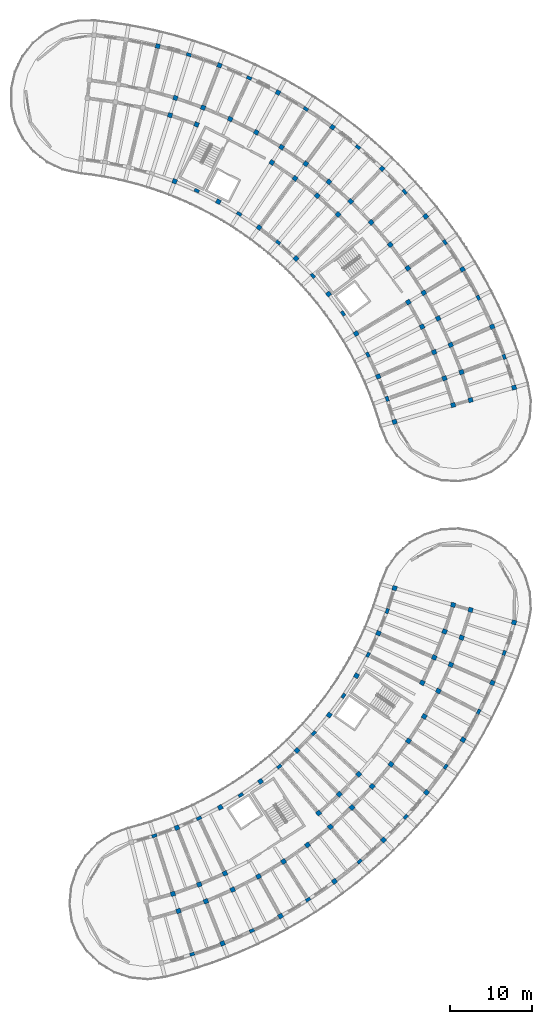
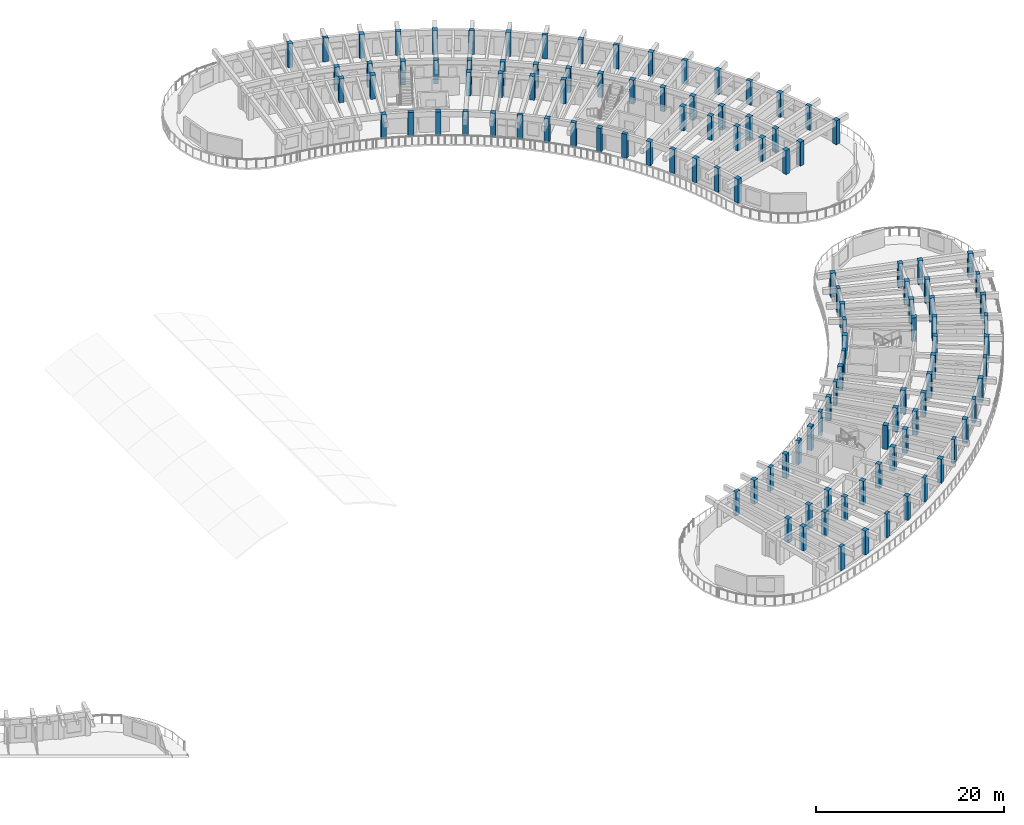
# One storey, part 2 of 96: 117 columns.
"""IFC4 building model written with IfcOpenShell, lengths in metres."""

import ifcopenshell
import ifcopenshell.guid

model = None  # the IFC model being written
_history = None  # IfcOwnerHistory: only IFC2X3 demands one
_inside = {}  # id of a spatial element -> (the spatial element, [elements in it])
_under = {}  # id of a project, library or spatial element -> (it, [spatial elements below it])
_declared = {}  # id of a project -> (the project, [libraries it declares])
_typed = {}  # id of a type object -> (the type object, [elements of that type])
_made_of = {}  # id of a material, layer set ... -> (it, [elements and type objects made of it])


def new_model(schema):
    """Start an empty IFC model of exactly this schema.

    Asked for "IFC4X3", IfcOpenShell would pick the latest addendum, in which some entities
    have other attributes; the version numbers below select the first issue.
    IFC2X3 requires an IfcOwnerHistory on every rooted entity: one is made here for all.
    """
    global model, _history
    if schema == "IFC4X3":
        model = ifcopenshell.file(schema_version=(4, 3, 0, 0))
    else:
        model = ifcopenshell.file(schema=schema)
    _inside.clear()
    _under.clear()
    _declared.clear()
    _typed.clear()
    _made_of.clear()
    _history = None
    if model.schema == "IFC2X3":
        org = make("IfcOrganization", Name="unknown")
        user = make(
            "IfcPersonAndOrganization",
            ThePerson=make("IfcPerson", FamilyName="unknown"),
            TheOrganization=org,
        )
        app = make(
            "IfcApplication",
            ApplicationDeveloper=org,
            Version="unknown",
            ApplicationFullName="unknown",
            ApplicationIdentifier="unknown",
        )
        _history = make(
            "IfcOwnerHistory",
            OwningUser=user,
            OwningApplication=app,
            ChangeAction="ADDED",
            CreationDate=0,
        )
    return model


def make(cls, **values):
    """One entity of the class cls with the attributes given. An attribute that is None is left unset."""
    return model.create_entity(
        cls, **{name: value for name, value in values.items() if value is not None}
    )


def rooted(cls, **values):
    """An entity with a GlobalId (a new one), such as an element, a storey or a relation."""
    return make(cls, GlobalId=ifcopenshell.guid.new(), OwnerHistory=_history, **values)


def si_unit(unit_type, name, prefix=None):
    """IfcSIUnit, for example si_unit("LENGTHUNIT", "METRE", prefix="MILLI")."""
    return make("IfcSIUnit", UnitType=unit_type, Prefix=prefix, Name=name)


def assignment(units):
    """IfcUnitAssignment: the units of a project."""
    return None if units is None else make("IfcUnitAssignment", Units=units)


def point(xyz):
    """IfcCartesianPoint."""
    return None if xyz is None else make("IfcCartesianPoint", Coordinates=xyz)


def direction(xyz):
    """IfcDirection."""
    return None if xyz is None else make("IfcDirection", DirectionRatios=xyz)


def frame(location, z_axis=None, x_axis=None):
    """IfcAxis2Placement3D, a coordinate frame: its origin and axes. An axis left out is left unset."""
    return make(
        "IfcAxis2Placement3D",
        Location=point(location),
        Axis=direction(z_axis),
        RefDirection=direction(x_axis),
    )


def frame_2d(location, x_axis=None):
    """IfcAxis2Placement2D, a coordinate frame in the plane: its origin and x axis."""
    return make(
        "IfcAxis2Placement2D", Location=point(location), RefDirection=direction(x_axis)
    )


def origin():
    """The frame at (0, 0, 0) with its axes left unset."""
    return frame((0.0, 0.0, 0.0))


def origin_2d():
    """The frame at (0, 0) in the plane with its x axis left unset."""
    return frame_2d((0.0, 0.0))


def place(relative_to, where):
    """IfcLocalPlacement: puts the frame where relative to a parent placement (None: the world)."""
    return make(
        "IfcLocalPlacement", PlacementRelTo=relative_to, RelativePlacement=where
    )


def context(
    kind, dimensions, precision=None, world=None, true_north=None, identifier=None
):
    """IfcGeometricRepresentationContext, for example the 3D "Model" context."""
    return make(
        "IfcGeometricRepresentationContext",
        ContextIdentifier=identifier,
        ContextType=kind,
        CoordinateSpaceDimension=dimensions,
        Precision=precision,
        WorldCoordinateSystem=world,
        TrueNorth=true_north,
    )


def subcontext(parent, identifier, kind, view, scale=None):
    """IfcGeometricRepresentationSubContext, for example "Body" below "Model"."""
    return make(
        "IfcGeometricRepresentationSubContext",
        ContextIdentifier=identifier,
        ContextType=kind,
        ParentContext=parent,
        TargetScale=scale,
        TargetView=view,
    )


def project(units=None, contexts=None):
    """IfcProject with its units and contexts."""
    return rooted(
        "IfcProject",
        Name="project",
        RepresentationContexts=contexts,
        UnitsInContext=assignment(units),
    )


def spatial(cls, under=None, at=None, **own):
    """A site, building, storey or space (cls), placed at a placement, below another one or the project."""
    s = rooted(cls, ObjectPlacement=at, **own)
    if under is not None:
        _under.setdefault(under.id(), (under, []))[1].append(s)
    return s


def profile(cls, at=None, kind="AREA", **sizes):
    """A parametric profile (cls). Its sizes go by their IFC names, for example OverallWidth=200.0."""
    return make(cls, ProfileType=kind, Position=at, **sizes)


def rectangle(**sizes):
    """IfcRectangleProfileDef."""
    return profile("IfcRectangleProfileDef", **sizes)


def extrude(swept, where, along, depth):
    """IfcExtrudedAreaSolid: the profile swept, set in the frame where, extruded along a direction by depth."""
    return make(
        "IfcExtrudedAreaSolid",
        SweptArea=swept,
        Position=where,
        ExtrudedDirection=direction(along),
        Depth=depth,
    )


def shape(context_of_items, identifier, shape_type, items):
    """IfcShapeRepresentation: the items that make up one representation, for example the "Body"."""
    return make(
        "IfcShapeRepresentation",
        ContextOfItems=context_of_items,
        RepresentationIdentifier=identifier,
        RepresentationType=shape_type,
        Items=items,
    )


def material(Name=None, Category=None):
    """IfcMaterial."""
    return make("IfcMaterial", Name=Name, Category=Category)


def material_profile(
    of_material, cross_section, Name=None, Category=None, Priority=None
):
    """IfcMaterialProfile: a cross section and its material."""
    return make(
        "IfcMaterialProfile",
        Name=Name,
        Material=of_material,
        Profile=cross_section,
        Priority=Priority,
        Category=Category,
    )


def profile_set(profiles, Name=None, composite=None):
    """IfcMaterialProfileSet."""
    return make(
        "IfcMaterialProfileSet",
        Name=Name,
        MaterialProfiles=profiles,
        CompositeProfile=composite,
    )


def made_of(thing, what):
    """Note that an element or type object is made of a material, layer set ...; save() writes the relation."""
    if what is not None:
        _made_of.setdefault(what.id(), (what, []))[1].append(thing)
    return thing


def type_object(cls, material=None, **own):
    """A type object (cls), such as IfcWallType, which elements share."""
    return made_of(rooted(cls, **own), material)


def element(
    cls,
    number,
    at=None,
    inside=None,
    cuts=None,
    type_object=None,
    material=None,
    context=None,
    identifier="Body",
    shape_type=None,
    held_by="IfcProductDefinitionShape",
    body=None,
    shapes=None,
    **own,
):
    """One element of the class cls, such as IfcWall. Its Tag is "e" and its number.

    at: its placement. inside: the storey or other place that contains it. cuts: it is an
    opening in that element (IfcRelVoidsElement). A single representation is given by context,
    identifier, shape_type and body (its items); several are given by shapes. held_by: the class
    of the entity that holds the representations. save() writes the other relations.
    """
    e = rooted(cls, Tag="e%d" % number, ObjectPlacement=at, **own)
    if body is not None:
        shapes = [shape(context, identifier, shape_type, body)]
    if shapes is not None:
        e.Representation = make(held_by, Representations=shapes)
    if inside is not None:
        _inside.setdefault(inside.id(), (inside, []))[1].append(e)
    if cuts is not None:
        rooted(
            "IfcRelVoidsElement", RelatingBuildingElement=cuts, RelatedOpeningElement=e
        )
    if type_object is not None:
        _typed.setdefault(type_object.id(), (type_object, []))[1].append(e)
    return made_of(e, material)


def aggregate(whole, parts):
    """IfcRelAggregates: a whole, such as a stair, and the parts it consists of."""
    return rooted("IfcRelAggregates", RelatingObject=whole, RelatedObjects=parts)


def save(model, path):
    """Write the relations noted so far, then the file.

    IfcRelAggregates (storeys below a building ...), IfcRelContainedInSpatialStructure (elements
    in a storey), IfcRelDefinesByType, IfcRelAssociatesMaterial and IfcRelDeclares: one each for
    every whole, place, type object, material and project.
    """
    for whole, parts in _under.values():
        aggregate(whole, parts)
    for where, things in _inside.values():
        rooted(
            "IfcRelContainedInSpatialStructure",
            RelatedElements=things,
            RelatingStructure=where,
        )
    for kind, things in _typed.values():
        rooted("IfcRelDefinesByType", RelatedObjects=things, RelatingType=kind)
    for what, things in _made_of.values():
        rooted("IfcRelAssociatesMaterial", RelatedObjects=things, RelatingMaterial=what)
    for by, libraries in _declared.values():
        rooted("IfcRelDeclares", RelatingContext=by, RelatedDefinitions=libraries)
    model.write(path)


model = new_model("IFC4")

# Units and contexts
model_context = context("Model", 3, precision=1e-05, world=origin(), true_north=direction((0.0, 1.0)))
body_context = subcontext(model_context, "Body", "Model", "MODEL_VIEW")
ifc_project = project(units=[si_unit("LENGTHUNIT", "METRE"), si_unit("AREAUNIT", "SQUARE_METRE"), si_unit("VOLUMEUNIT", "CUBIC_METRE"), si_unit("PLANEANGLEUNIT", "RADIAN"), si_unit("MASSUNIT", "GRAM", prefix="KILO")], contexts=[model_context])

# Site, building, storey
site_placement = place(None, origin())
site = spatial("IfcSite", under=ifc_project, at=site_placement, CompositionType="ELEMENT")
building_placement = place(site_placement, origin())
building = spatial("IfcBuilding", under=site, at=building_placement, Name="Tanwirah Colonnade Gardens", CompositionType="ELEMENT")
storey_placement = place(building_placement, frame((0.0, 0.0, 12.199951171875)))
storey = spatial("IfcBuildingStorey", under=building, at=storey_placement, Name="L03", CompositionType="ELEMENT", Elevation=12.199951171875)

# Columns
ifc_material_1 = material(Name="Precast concrete C40/50", Category="concrete")
ifc_material_profile_1 = material_profile(ifc_material_1, rectangle(XDim=0.56005859375, YDim=0.56005859375, at=origin_2d()), Name="PC-COL 560x560")
ifc_profile_set_1 = profile_set([ifc_material_profile_1], Name="Precast concrete C40/50")
column_type_1 = type_object("IfcColumnType", Name="C-PC480", PredefinedType="COLUMN", material=ifc_profile_set_1)
for number, where, z_axis, x_axis, name in (
    (1, (136.80712890625, 15.1181640625, 0.0), (0.0, 0.0, 1.0), (0.304864299028, -0.952395799643, 0.0), "Block D L03 Column 1-R1"),
    (2, (137.47802734375, 13.02294921875, 0.0), (0.0, 0.0, 1.0), (0.304864299028, -0.952395799643, 0.0), "Block D L03 Column 1-R2"),
    (3, (137.291015625, 23.142822265625, 0.0), (0.0, 0.0, 1.0), (0.366501226724, -0.930417567982, 0.0), "Block D L03 Column 2-R0"),
    (4, (140.003173828125, 16.2578125, 0.0), (0.0, 0.0, 1.0), (0.366501226724, -0.930417567982, 0.0), "Block D L03 Column 2-R1"),
    (5, (140.809326171875, 14.2109375, 0.0), (0.0, 0.0, 1.0), (0.366501226724, -0.930417567982, 0.0), "Block D L03 Column 2-R2"),
    (6, (142.8251953125, 9.09375, 0.0), (0.0, 0.0, 1.0), (0.366501226724, -0.930417567982, 0.0), "Block D L03 Column 2-R3"),
    (7, (143.11767578125, 17.60400390625, 0.0), (0.0, 0.0, 1.0), (0.426568739901, -0.904455145454, 0.0), "Block D L03 Column 3-R1"),
    (8, (144.05615234375, 15.6142578125, 0.0), (0.0, 0.0, 1.0), (0.426568739901, -0.904455145454, 0.0), "Block D L03 Column 3-R2"),
    (9, (142.5498046875, 25.623046875, 0.0), (0.0, 0.0, 1.0), (0.484809620246, -0.874619707139, 0.0), "Block D L03 Column 4-R0"),
    (10, (147.203857421875, 17.226806640625, 0.0), (0.0, 0.0, 1.0), (0.484809620246, -0.874619707139, 0.0), "Block D L03 Column 4-R2"),
    (11, (149.870361328125, 12.41650390625, 0.0), (0.0, 0.0, 1.0), (0.484809620246, -0.874619707139, 0.0), "Block D L03 Column 4-R3"),
    (12, (150.23974609375, 19.041748046875, 0.0), (0.0, 0.0, 1.0), (0.540974471368, -0.841039012964, 0.0), "Block D L03 Column 5-R2"),
    (13, (147.43994140625, 28.7685546875, 0.0), (0.0, 0.0, 1.0), (0.594822786751, -0.803856860617, 0.0), "Block D L03 Column 6-R0"),
    (14, (153.150146484375, 21.051513671875, 0.0), (0.0, 0.0, 1.0), (0.594822786751, -0.803856860617, 0.0), "Block D L03 Column 6-R2"),
    (15, (156.421630859375, 16.63037109375, 0.0), (0.0, 0.0, 1.0), (0.594822786751, -0.803856860617, 0.0), "Block D L03 Column 6-R3"),
    (16, (154.50146484375, 24.926513671875, 0.0), (0.0, 0.0, 1.0), (0.646123979643, -0.763232469783, 0.0), "Block D L03 Column 7-R1"),
    (17, (155.923095703125, 23.247314453125, 0.0), (0.0, 0.0, 1.0), (0.646123979643, -0.763232469783, 0.0), "Block D L03 Column 7-R2"),
    (18, (151.877685546875, 32.525390625, 0.0), (0.0, 0.0, 1.0), (0.694658370459, -0.719339800339, 0.0), "Block D L03 Column 8-R0"),
    (19, (157.01806640625, 27.2021484375, 0.0), (0.0, 0.0, 1.0), (0.694658370459, -0.719339800339, 0.0), "Block D L03 Column 8-R1"),
    (20, (158.54638671875, 25.61962890625, 0.0), (0.0, 0.0, 1.0), (0.694658370459, -0.719339800339, 0.0), "Block D L03 Column 8-R2"),
    (21, (162.366943359375, 21.663330078125, 0.0), (0.0, 0.0, 1.0), (0.694658370459, -0.719339800339, 0.0), "Block D L03 Column 8-R3"),
    (22, (159.38037109375, 29.6376953125, 0.0), (0.0, 0.0, 1.0), (0.740218127487, -0.672366807435, 0.0), "Block D L03 Column 9-R1"),
    (23, (161.0087890625, 28.15869140625, 0.0), (0.0, 0.0, 1.0), (0.740218127487, -0.672366807435, 0.0), "Block D L03 Column 9-R2"),
    (24, (155.786865234375, 36.829345703125, 0.0), (0.0, 0.0, 1.0), (0.782608156852, -0.622514636638, 0.0), "Block D L03 Column 10-R0"),
    (25, (163.300048828125, 30.85302734375, 0.0), (0.0, 0.0, 1.0), (0.782608156852, -0.622514636638, 0.0), "Block D L03 Column 10-R2"),
    (26, (167.604248046875, 27.42919921875, 0.0), (0.0, 0.0, 1.0), (0.782608156852, -0.622514636638, 0.0), "Block D L03 Column 10-R3"),
    (27, (165.409912109375, 33.691650390625, 0.0), (0.0, 0.0, 1.0), (0.821646937942, -0.569996762596, 0.0), "Block D L03 Column 11-R2"),
    (28, (159.10107421875, 41.6064453125, 0.0), (0.0, 0.0, 1.0), (0.857167300702, -0.51503807491, 0.0), "Block D L03 Column 12-R0"),
    (29, (167.329833984375, 36.662109375, 0.0), (0.0, 0.0, 1.0), (0.857167300702, -0.51503807491, 0.0), "Block D L03 Column 12-R2"),
    (30, (172.04443359375, 33.82958984375, 0.0), (0.0, 0.0, 1.0), (0.857167300702, -0.51503807491, 0.0), "Block D L03 Column 12-R3"),
    (31, (167.095458984375, 40.75927734375, 0.0), (0.0, 0.0, 1.0), (0.889017141486, -0.457873915117, 0.0), "Block D L03 Column 13-R1"),
    (32, (169.05126953125, 39.751953125, 0.0), (0.0, 0.0, 1.0), (0.889017141486, -0.457873915117, 0.0), "Block D L03 Column 13-R2"),
    (33, (161.763427734375, 46.775634765625, 0.0), (0.0, 0.0, 1.0), (0.917060074385, -0.398749068925, 0.0), "Block D L03 Column 14-R0"),
    (34, (168.549560546875, 43.824951171875, 0.0), (0.0, 0.0, 1.0), (0.917060074385, -0.398749068925, 0.0), "Block D L03 Column 14-R1"),
    (35, (170.567138671875, 42.947509765625, 0.0), (0.0, 0.0, 1.0), (0.917060074385, -0.398749068925, 0.0), "Block D L03 Column 14-R2"),
    (36, (175.61083984375, 40.75439453125, 0.0), (0.0, 0.0, 1.0), (0.917060074385, -0.398749068925, 0.0), "Block D L03 Column 14-R3"),
    (37, (169.800048828125, 46.97900390625, 0.0), (0.0, 0.0, 1.0), (0.941176015256, -0.337916718003, 0.0), "Block D L03 Column 15-R1"),
    (38, (171.87060546875, 46.235595703125, 0.0), (0.0, 0.0, 1.0), (0.941176015256, -0.337916718003, 0.0), "Block D L03 Column 15-R2"),
    (39, (163.72802734375, 52.247802734375, 0.0), (0.0, 0.0, 1.0), (0.961261695938, -0.275637355817, 0.0), "Block D L03 Column 16-R0"),
    (40, (170.84130859375, 50.208251953125, 0.0), (0.0, 0.0, 1.0), (0.961261695938, -0.275637355817, 0.0), "Block D L03 Column 16-R1"),
    (41, (172.956298828125, 49.601806640625, 0.0), (0.0, 0.0, 1.0), (0.961261695938, -0.275637355817, 0.0), "Block D L03 Column 16-R2"),
    (42, (178.2431640625, 48.085693359375, 0.0), (0.0, 0.0, 1.0), (0.961261695938, -0.275637355817, 0.0), "Block D L03 Column 16-R3"),
):
    element("IfcColumn", number, at=place(storey_placement, frame(where, z_axis=z_axis, x_axis=x_axis)), inside=storey, type_object=column_type_1, Name=name, PredefinedType="COLUMN", context=body_context, shape_type="SweptSolid", body=[
        extrude(rectangle(XDim=0.56005859375, YDim=0.56005859375, at=origin_2d()), origin(), (0.0, 0.0, 1.0), 3.10498046875),
    ])
ifc_material_2 = material(Name="Precast concrete C45/55", Category="concrete")
ifc_material_profile_2 = material_profile(ifc_material_2, rectangle(XDim=0.550048828125, YDim=0.550048828125, at=origin_2d()), Name="PC-COL 550x550")
ifc_profile_set_2 = profile_set([ifc_material_profile_2], Name="Precast concrete C45/55")
column_type_2 = type_object("IfcColumnType", Name="C-PC550", PredefinedType="COLUMN", material=ifc_profile_set_2)
for number, where, z_axis, x_axis, name in (
    (43, (163.72802734375, 72.4521484375, 0.0), (0.0, 0.0, 1.0), (0.961261695938, 0.275637355817, 0.0), "Block B L03 Column 0-R0"),
    (44, (170.84130859375, 74.49169921875, 0.0), (0.0, 0.0, 1.0), (0.961261695938, 0.275637355817, 0.0), "Block B L03 Column 0-R1"),
    (45, (172.956298828125, 75.09814453125, 0.0), (0.0, 0.0, 1.0), (0.961261695938, 0.275637355817, 0.0), "Block B L03 Column 0-R2"),
    (46, (178.2431640625, 76.6142578125, 0.0), (0.0, 0.0, 1.0), (0.961261695938, 0.275637355817, 0.0), "Block B L03 Column 0-R3"),
    (47, (169.79150390625, 77.74462890625, 0.0), (0.0, 0.0, 1.0), (0.941012076693, 0.338372976931, 0.0), "Block B L03 Column 1-R1"),
    (48, (171.86181640625, 78.489013671875, 0.0), (0.0, 0.0, 1.0), (0.941012076693, 0.338372976931, 0.0), "Block B L03 Column 1-R2"),
    (49, (161.74609375, 77.9638671875, 0.0), (0.0, 0.0, 1.0), (0.916673002238, 0.39963809499, 0.0), "Block B L03 Column 2-R0"),
    (50, (168.529541015625, 80.921142578125, 0.0), (0.0, 0.0, 1.0), (0.916673002238, 0.39963809499, 0.0), "Block B L03 Column 2-R1"),
    (51, (170.546142578125, 81.800537109375, 0.0), (0.0, 0.0, 1.0), (0.916673002238, 0.39963809499, 0.0), "Block B L03 Column 2-R2"),
    (52, (175.587890625, 83.99853515625, 0.0), (0.0, 0.0, 1.0), (0.916673002238, 0.39963809499, 0.0), "Block B L03 Column 2-R3"),
    (53, (167.06103515625, 84.0078125, 0.0), (0.0, 0.0, 1.0), (0.88835024545, 0.459166463723, 0.0), "Block B L03 Column 3-R1"),
    (54, (169.015380859375, 85.01806640625, 0.0), (0.0, 0.0, 1.0), (0.88835024545, 0.459166463723, 0.0), "Block B L03 Column 3-R2"),
    (55, (159.056640625, 83.167236328125, 0.0), (0.0, 0.0, 1.0), (0.856166891514, 0.516699384434, 0.0), "Block B L03 Column 4-R0"),
    (56, (165.392333984375, 86.990966796875, 0.0), (0.0, 0.0, 1.0), (0.856166891514, 0.516699384434, 0.0), "Block B L03 Column 4-R1"),
    (57, (167.27587890625, 88.127685546875, 0.0), (0.0, 0.0, 1.0), (0.856166891514, 0.516699384434, 0.0), "Block B L03 Column 4-R2"),
    (58, (171.984619140625, 90.969482421875, 0.0), (0.0, 0.0, 1.0), (0.856166891514, 0.516699384434, 0.0), "Block B L03 Column 4-R3"),
    (59, (165.335205078125, 91.115966796875, 0.0), (0.0, 0.0, 1.0), (0.820262803018, 0.571986830255, 0.0), "Block B L03 Column 5-R2"),
    (60, (155.706298828125, 87.971923828125, 0.0), (0.0, 0.0, 1.0), (0.780794012137, 0.624788532714, 0.0), "Block B L03 Column 6-R0"),
    (61, (163.201904296875, 93.9697265625, 0.0), (0.0, 0.0, 1.0), (0.780794012137, 0.624788532714, 0.0), "Block B L03 Column 6-R2"),
    (62, (167.496337890625, 97.40625, 0.0), (0.0, 0.0, 1.0), (0.780794012137, 0.624788532714, 0.0), "Block B L03 Column 6-R3"),
    (63, (160.88525390625, 96.677001953125, 0.0), (0.0, 0.0, 1.0), (0.73793204255, 0.674875025896, 0.0), "Block B L03 Column 7-R2"),
    (64, (151.75341796875, 92.294189453125, 0.0), (0.0, 0.0, 1.0), (0.691863164029, 0.722028643656, 0.0), "Block B L03 Column 8-R0"),
    (65, (156.873046875, 97.63720703125, 0.0), (0.0, 0.0, 1.0), (0.691863164029, 0.722028643656, 0.0), "Block B L03 Column 8-R1"),
    (66, (158.395263671875, 99.2255859375, 0.0), (0.0, 0.0, 1.0), (0.691863164029, 0.722028643656, 0.0), "Block B L03 Column 8-R2"),
    (67, (162.200439453125, 103.19677734375, 0.0), (0.0, 0.0, 1.0), (0.691863164029, 0.722028643656, 0.0), "Block B L03 Column 8-R3"),
    (68, (154.32861328125, 99.91943359375, 0.0), (0.0, 0.0, 1.0), (0.642787582947, 0.766044465556, 0.0), "Block B L03 Column 9-R1"),
    (69, (155.74267578125, 101.604736328125, 0.0), (0.0, 0.0, 1.0), (0.642787582947, 0.766044465556, 0.0), "Block B L03 Column 9-R2"),
    (70, (147.266357421875, 96.05908203125, 0.0), (0.0, 0.0, 1.0), (0.590918572221, 0.806731207407, 0.0), "Block B L03 Column 10-R0"),
    (71, (151.63916015625, 102.029052734375, 0.0), (0.0, 0.0, 1.0), (0.590918572221, 0.806731207407, 0.0), "Block B L03 Column 10-R1"),
    (72, (152.939208984375, 103.8037109375, 0.0), (0.0, 0.0, 1.0), (0.590918572221, 0.806731207407, 0.0), "Block B L03 Column 10-R2"),
    (73, (156.189208984375, 108.24072265625, 0.0), (0.0, 0.0, 1.0), (0.590918572221, 0.806731207407, 0.0), "Block B L03 Column 10-R3"),
    (74, (148.816650390625, 103.956787109375, 0.0), (0.0, 0.0, 1.0), (0.536481544469, 0.843912052553, 0.0), "Block B L03 Column 11-R1"),
    (75, (149.996826171875, 105.8134765625, 0.0), (0.0, 0.0, 1.0), (0.536481544469, 0.843912052553, 0.0), "Block B L03 Column 11-R2"),
    (76, (142.3232421875, 99.20166015625, 0.0), (0.0, 0.0, 1.0), (0.479713072413, 0.877425420281, 0.0), "Block B L03 Column 12-R0"),
    (77, (146.928466796875, 107.624755859375, 0.0), (0.0, 0.0, 1.0), (0.479713072413, 0.877425420281, 0.0), "Block B L03 Column 12-R2"),
    (78, (149.56689453125, 112.45068359375, 0.0), (0.0, 0.0, 1.0), (0.479713072413, 0.877425420281, 0.0), "Block B L03 Column 12-R3"),
    (79, (143.74755859375, 109.230224609375, 0.0), (0.0, 0.0, 1.0), (0.420859860775, 0.907125668024, 0.0), "Block B L03 Column 13-R2"),
    (80, (137.010009765625, 101.666748046875, 0.0), (0.0, 0.0, 1.0), (0.36017767415, 0.932883724289, 0.0), "Block B L03 Column 14-R0"),
    (81, (139.67529296875, 108.570068359375, 0.0), (0.0, 0.0, 1.0), (0.36017767415, 0.932883724289, 0.0), "Block B L03 Column 14-R1"),
    (82, (140.467529296875, 110.622314453125, 0.0), (0.0, 0.0, 1.0), (0.36017767415, 0.932883724289, 0.0), "Block B L03 Column 14-R2"),
    (83, (142.448486328125, 115.753173828125, 0.0), (0.0, 0.0, 1.0), (0.36017767415, 0.932883724289, 0.0), "Block B L03 Column 14-R3"),
    (84, (136.44775390625, 109.6953125, 0.0), (0.0, 0.0, 1.0), (0.297930225503, 0.954587649581, 0.0), "Block B L03 Column 15-R1"),
    (85, (137.10302734375, 111.79541015625, 0.0), (0.0, 0.0, 1.0), (0.297930225503, 0.954587649581, 0.0), "Block B L03 Column 15-R2"),
    (86, (134.957763671875, 118.091064453125, 0.0), (0.0, 0.0, 1.0), (0.234388030122, 0.972143122866, 0.0), "Block B L03 Column 16-R3"),
):
    element("IfcColumn", number, at=place(storey_placement, frame(where, z_axis=z_axis, x_axis=x_axis)), inside=storey, type_object=column_type_2, Name=name, PredefinedType="COLUMN", context=body_context, shape_type="SweptSolid", body=[
        extrude(rectangle(XDim=0.550048828125, YDim=0.550048828125, at=origin_2d()), origin(), (0.0, 0.0, 1.0), 3.10498046875),
    ])
ifc_material_profile_3 = material_profile(ifc_material_1, rectangle(XDim=0.3798828125, YDim=0.6201171875, at=origin_2d()), Name="PC-PIL 380x620")
ifc_profile_set_3 = profile_set([ifc_material_profile_3], Name="Precast concrete C40/50")
column_type_3 = type_object("IfcColumnType", Name="PIL-380", PredefinedType="PILASTER", material=ifc_profile_set_3)
for number, where, z_axis, x_axis, name in (
    (87, (162.827880859375, 75.24072265625, 0.0), (0.0, 0.0, 1.0), (0.941012076693, 0.338372976931, 0.0), "Block B L03 Column 1-R0"),
    (88, (177.037353515625, 80.35009765625, 0.0), (0.0, 0.0, 1.0), (0.941012076693, 0.338372976931, 0.0), "Block B L03 Column 1-R3"),
    (89, (160.487060546875, 80.60986328125, 0.0), (0.0, 0.0, 1.0), (0.88835024545, 0.459166463723, 0.0), "Block B L03 Column 3-R0"),
    (90, (173.9013671875, 87.54345703125, 0.0), (0.0, 0.0, 1.0), (0.88835024545, 0.459166463723, 0.0), "Block B L03 Column 3-R3"),
    (91, (157.460693359375, 85.624755859375, 0.0), (0.0, 0.0, 1.0), (0.820262803018, 0.571986830255, 0.0), "Block B L03 Column 5-R0"),
    (92, (169.8466796875, 94.26171875, 0.0), (0.0, 0.0, 1.0), (0.820262803018, 0.571986830255, 0.0), "Block B L03 Column 5-R3"),
    (93, (153.801025390625, 90.1982421875, 0.0), (0.0, 0.0, 1.0), (0.73793204255, 0.674875025896, 0.0), "Block B L03 Column 7-R0"),
    (94, (164.94384765625, 100.388916015625, 0.0), (0.0, 0.0, 1.0), (0.73793204255, 0.674875025896, 0.0), "Block B L03 Column 7-R3"),
    (95, (149.572021484375, 94.250732421875, 0.0), (0.0, 0.0, 1.0), (0.642787582947, 0.766044465556, 0.0), "Block B L03 Column 9-R0"),
    (96, (159.278076171875, 105.81787109375, 0.0), (0.0, 0.0, 1.0), (0.642787582947, 0.766044465556, 0.0), "Block B L03 Column 9-R3"),
    (97, (144.8466796875, 97.7119140625, 0.0), (0.0, 0.0, 1.0), (0.536481544469, 0.843912052553, 0.0), "Block B L03 Column 11-R0"),
    (98, (152.947509765625, 110.455078125, 0.0), (0.0, 0.0, 1.0), (0.536481544469, 0.843912052553, 0.0), "Block B L03 Column 11-R3"),
    (99, (139.707275390625, 100.521728515625, 0.0), (0.0, 0.0, 1.0), (0.420859860775, 0.907125668024, 0.0), "Block B L03 Column 13-R0"),
    (100, (146.062255859375, 114.21923828125, 0.0), (0.0, 0.0, 1.0), (0.420859860775, 0.907125668024, 0.0), "Block B L03 Column 13-R3"),
    (101, (138.74169921875, 117.045654296875, 0.0), (0.0, 0.0, 1.0), (0.297930225503, 0.954587649581, 0.0), "Block B L03 Column 15-R3"),
    (102, (134.55126953125, 22.166015625, 0.0), (0.0, 0.0, 1.0), (0.304864299028, -0.952395799643, 0.0), "Block D L03 Column 1-R0"),
    (103, (139.15478515625, 7.784912109375, 0.0), (0.0, 0.0, 1.0), (0.304864299028, -0.952395799643, 0.0), "Block D L03 Column 1-R3"),
    (104, (139.9609375, 24.296875, 0.0), (0.0, 0.0, 1.0), (0.426568739901, -0.904455145454, 0.0), "Block D L03 Column 3-R0"),
    (105, (146.402099609375, 10.6396484375, 0.0), (0.0, 0.0, 1.0), (0.426568739901, -0.904455145454, 0.0), "Block D L03 Column 3-R3"),
    (106, (145.04638671875, 27.11572265625, 0.0), (0.0, 0.0, 1.0), (0.540974471368, -0.841039012964, 0.0), "Block D L03 Column 5-R0"),
    (107, (153.215087890625, 14.416015625, 0.0), (0.0, 0.0, 1.0), (0.540974471368, -0.841039012964, 0.0), "Block D L03 Column 5-R3"),
    (108, (149.72021484375, 30.57421875, 0.0), (0.0, 0.0, 1.0), (0.646123979643, -0.763232469783, 0.0), "Block D L03 Column 7-R0"),
    (109, (159.4765625, 19.049560546875, 0.0), (0.0, 0.0, 1.0), (0.646123979643, -0.763232469783, 0.0), "Block D L03 Column 7-R3"),
    (110, (153.902587890625, 34.61328125, 0.0), (0.0, 0.0, 1.0), (0.740218127487, -0.672366807435, 0.0), "Block D L03 Column 9-R0"),
    (111, (165.080078125, 24.46044921875, 0.0), (0.0, 0.0, 1.0), (0.740218127487, -0.672366807435, 0.0), "Block D L03 Column 9-R3"),
    (112, (157.522216796875, 39.16357421875, 0.0), (0.0, 0.0, 1.0), (0.821646937942, -0.569996762596, 0.0), "Block D L03 Column 11-R0"),
    (113, (169.928955078125, 30.556640625, 0.0), (0.0, 0.0, 1.0), (0.821646937942, -0.569996762596, 0.0), "Block D L03 Column 11-R3"),
    (114, (160.516845703125, 44.1474609375, 0.0), (0.0, 0.0, 1.0), (0.889017141486, -0.457873915117, 0.0), "Block D L03 Column 13-R0"),
    (115, (173.94091796875, 37.233642578125, 0.0), (0.0, 0.0, 1.0), (0.889017141486, -0.457873915117, 0.0), "Block D L03 Column 13-R3"),
    (116, (162.835205078125, 49.4794921875, 0.0), (0.0, 0.0, 1.0), (0.941176015256, -0.337916718003, 0.0), "Block D L03 Column 15-R0"),
    (117, (177.047119140625, 44.376953125, 0.0), (0.0, 0.0, 1.0), (0.941176015256, -0.337916718003, 0.0), "Block D L03 Column 15-R3"),
):
    element("IfcColumn", number, at=place(storey_placement, frame(where, z_axis=z_axis, x_axis=x_axis)), inside=storey, type_object=column_type_3, Name=name, PredefinedType="PILASTER", context=body_context, shape_type="SweptSolid", body=[
        extrude(rectangle(XDim=0.3798828125, YDim=0.6201171875, at=origin_2d()), origin(), (0.0, 0.0, 1.0), 3.10498046875),
    ])

save(model, "model.ifc")
